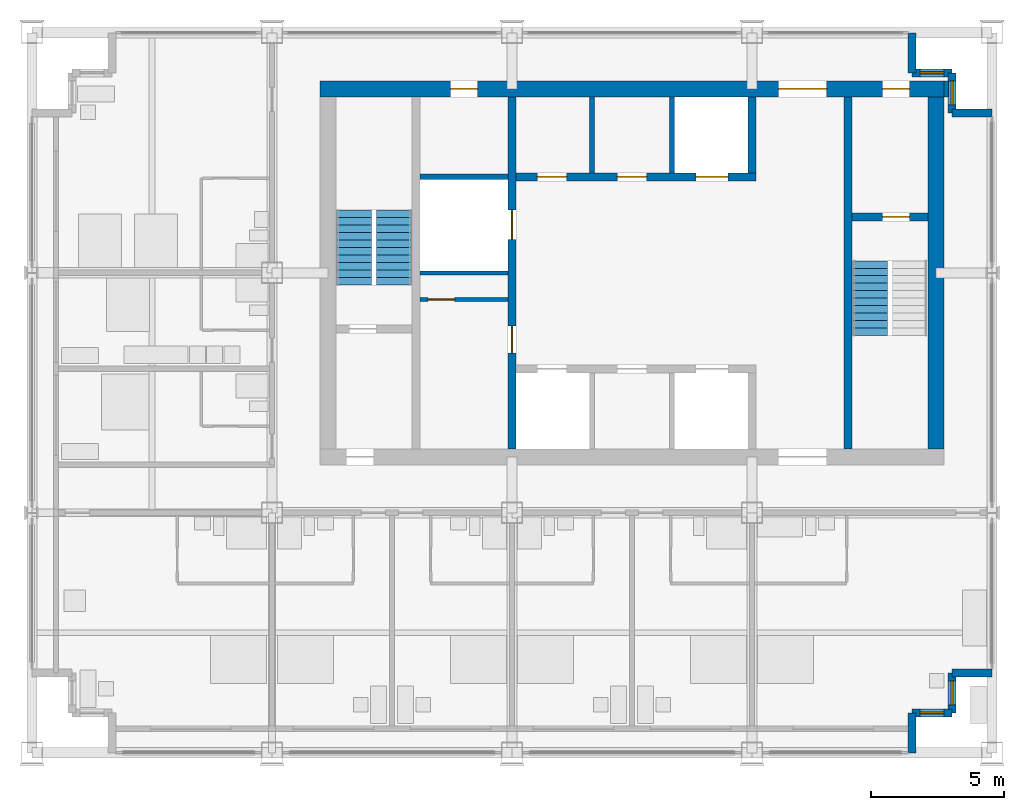
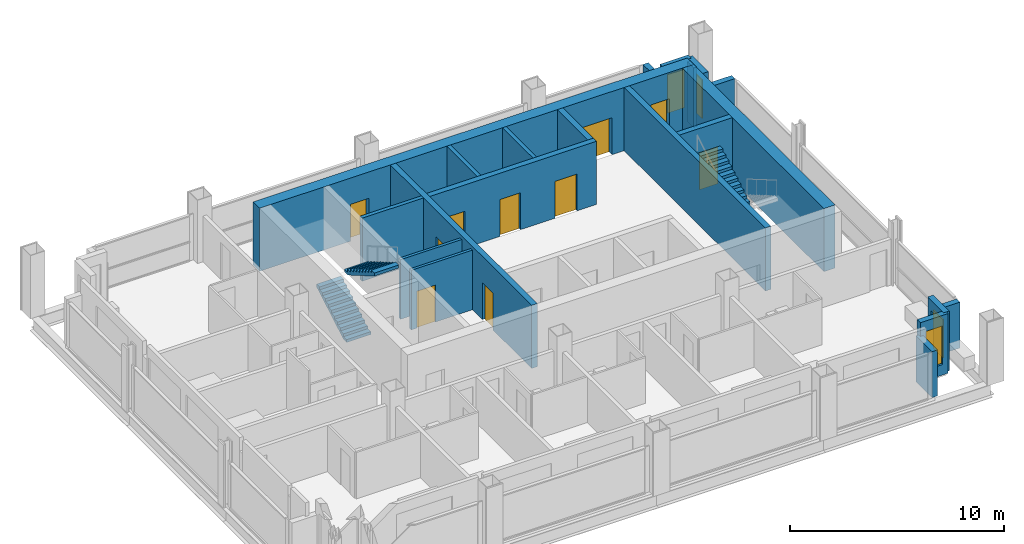
# One storey, part 8 of 12: 21 walls, 10 doors, 4 windows, 3 stair flights, 14 openings, 2 elements without a shape of their own.
"""IFC4 building model written with IfcOpenShell, lengths in metres."""

from ifc_helpers import new_model, si_unit, direction, frame, frame_2d, origin, place, context, subcontext, project, spatial, polyline, rectangle, outline, extrude, material, layer, layer_set, type_object, element, fill, aggregate, save


model = new_model("IFC4")

# Units and contexts
model_context = context("Model", 3, precision=1e-05, world=origin(), true_north=direction((0.0, 1.0)))
body_context = subcontext(model_context, "Body", "Model", "MODEL_VIEW")
ifc_project = project(units=[si_unit("LENGTHUNIT", "METRE"), si_unit("AREAUNIT", "SQUARE_METRE"), si_unit("VOLUMEUNIT", "CUBIC_METRE"), si_unit("PLANEANGLEUNIT", "RADIAN"), si_unit("MASSUNIT", "GRAM", prefix="KILO")], contexts=[model_context])

# Site, building, storey
site_placement = place(None, origin())
site = spatial("IfcSite", under=ifc_project, at=site_placement, CompositionType="ELEMENT")
building_placement = place(site_placement, origin())
building = spatial("IfcBuilding", under=site, at=building_placement, Name="Loomwork Tower", CompositionType="ELEMENT")
storey_placement = place(building_placement, frame((0.0, 0.0, 255.39990234375)))
storey = spatial("IfcBuildingStorey", under=building, at=storey_placement, Name="L70", CompositionType="ELEMENT", Elevation=255.39990234375)

# Wall, openings, doors
ifc_material_1 = material(Name="Concrete 14000 psi (97 MPa)", Category="concrete")
ifc_layer_1 = layer(ifc_material_1, 0.300048828125)
ifc_layer_set_1 = layer_set([ifc_layer_1], Name="Core shear wall 300")
wall_type_1 = type_object("IfcWallType", Name="Core shear wall 300", PredefinedType="SHEAR", material=ifc_layer_set_1)
wall_1_placement = place(storey_placement, frame((18.0, 11.39990234375, 0.0), z_axis=(0.0, 0.0, 1.0), x_axis=(0.0, 1.0, 0.0)))
wall_1 = element("IfcWall", 1, at=wall_1_placement, inside=storey, type_object=wall_type_1, Name="Lobby west wall L70", PredefinedType="SHEAR", context=body_context, shape_type="SweptSolid", body=[
    extrude(rectangle(XDim=13.2001953125, YDim=0.300048828125, at=frame_2d((6.60009765625, 0.0))), origin(), (0.0, 0.0, 1.0), 3.60009765625),
])
opening_1_placement = place(wall_1_placement, frame((3.60009765625, 0.0, 0.0)))
opening_1 = element("IfcOpeningElement", 2, at=opening_1_placement, cuts=wall_1, Name="Opening D5", PredefinedType="OPENING", context=body_context, shape_type="SweptSolid", body=[
    extrude(rectangle(XDim=1.0, YDim=2.10009765625, at=frame_2d((0.5, 1.050048828125))), frame((0.0, 0.159912109375, 0.0), z_axis=(0.0, -1.0, 0.0), x_axis=(1.0, 0.0, 0.0)), (0.0, 0.0, 1.0), 0.320068359375),
])
opening_2_placement = place(wall_1_placement, frame((7.85009765625, 0.0, 0.0)))
opening_2 = element("IfcOpeningElement", 3, at=opening_2_placement, cuts=wall_1, Name="Opening LD1", PredefinedType="OPENING", context=body_context, shape_type="SweptSolid", body=[
    extrude(rectangle(XDim=1.10009765625, YDim=2.10009765625, at=frame_2d((0.550048828125, 1.050048828125))), frame((0.0, 0.159912109375, 0.0), z_axis=(0.0, -1.0, 0.0), x_axis=(1.0, 0.0, 0.0)), (0.0, 0.0, 1.0), 0.320068359375),
])
ifc_material_2 = material(Name="Hollow metal door and frame")
door_type_1 = type_object("IfcDoorType", Name="Lift landing door 1100", OperationType="SLIDING_TO_LEFT", PredefinedType="DOOR", material=ifc_material_2)
door_1_placement = place(opening_2_placement, origin())
door_1 = element("IfcDoor", 4, at=door_1_placement, inside=storey, type_object=door_type_1, Name="Lift landing door LC2", OperationType="SLIDING_TO_LEFT", OverallHeight=2.10009765625, OverallWidth=1.10009765625, PredefinedType="DOOR", context=body_context, shape_type="SweptSolid", body=[
    extrude(rectangle(XDim=1.10009765625, YDim=2.10009765625, at=frame_2d((0.550048828125, 1.050048828125))), frame((0.0, 0.02490234375, 0.0), z_axis=(0.0, -1.0, 0.0), x_axis=(1.0, 0.0, 0.0)), (0.0, 0.0, 1.0), 0.050048828125),
])
fill(opening_2, door_1)
ifc_material_3 = material(Name="Hollow metal door and frame")
door_type_2 = type_object("IfcDoorType", Name="Service door 1000", OperationType="SINGLE_SWING_LEFT", PredefinedType="DOOR", material=ifc_material_3)
door_2_placement = place(opening_1_placement, origin())
door_2 = element("IfcDoor", 5, at=door_2_placement, inside=storey, type_object=door_type_2, Name="Back-of-house door south", OperationType="SINGLE_SWING_LEFT", OverallHeight=2.10009765625, OverallWidth=1.0, PredefinedType="DOOR", context=body_context, shape_type="SweptSolid", body=[
    extrude(rectangle(XDim=1.0, YDim=2.10009765625, at=frame_2d((0.5, 1.050048828125))), frame((0.0, 0.02490234375, 0.0), z_axis=(0.0, -1.0, 0.0), x_axis=(1.0, 0.0, 0.0)), (0.0, 0.0, 1.0), 0.050048828125),
])
fill(opening_1, door_2)

wall_2_placement = place(storey_placement, frame((18.14990234375, 21.60009765625, 0.0), z_axis=(0.0, 0.0, 1.0), x_axis=(1.0, 0.0, 0.0)))
wall_2 = element("IfcWall", 6, at=wall_2_placement, inside=storey, type_object=wall_type_1, Name="Lift front wall north L70", PredefinedType="SHEAR", context=body_context, shape_type="SweptSolid", body=[
    extrude(rectangle(XDim=9.0, YDim=0.300048828125, at=frame_2d((4.5, 0.0))), origin(), (0.0, 0.0, 1.0), 3.60009765625),
])
opening_3_placement = place(wall_2_placement, frame((6.75, 0.0, 0.0)))
opening_3 = element("IfcOpeningElement", 7, at=opening_3_placement, cuts=wall_2, Name="Opening LD2", PredefinedType="OPENING", context=body_context, shape_type="SweptSolid", body=[
    extrude(rectangle(XDim=1.199951171875, YDim=2.10009765625, at=frame_2d((0.60009765625, 1.050048828125))), frame((0.0, 0.159912109375, 0.0), z_axis=(0.0, -1.0, 0.0), x_axis=(1.0, 0.0, 0.0)), (0.0, 0.0, 1.0), 0.320068359375),
])
opening_4_placement = place(wall_2_placement, frame((0.800048828125, 0.0, 0.0)))
opening_4 = element("IfcOpeningElement", 8, at=opening_4_placement, cuts=wall_2, Name="Opening D17", PredefinedType="OPENING", context=body_context, shape_type="SweptSolid", body=[
    extrude(rectangle(XDim=1.10009765625, YDim=2.10009765625, at=frame_2d((0.550048828125, 1.050048828125))), frame((0.0, 0.159912109375, 0.0), z_axis=(0.0, -1.0, 0.0), x_axis=(1.0, 0.0, 0.0)), (0.0, 0.0, 1.0), 0.320068359375),
])
opening_5_placement = place(wall_2_placement, frame((3.800048828125, 0.0, 0.0)))
opening_5 = element("IfcOpeningElement", 9, at=opening_5_placement, cuts=wall_2, Name="Opening D17", PredefinedType="OPENING", context=body_context, shape_type="SweptSolid", body=[
    extrude(rectangle(XDim=1.10009765625, YDim=2.10009765625, at=frame_2d((0.550048828125, 1.050048828125))), frame((0.0, 0.159912109375, 0.0), z_axis=(0.0, -1.0, 0.0), x_axis=(1.0, 0.0, 0.0)), (0.0, 0.0, 1.0), 0.320068359375),
])
ifc_material_4 = material(Name="Hollow metal door and frame")
door_type_3 = type_object("IfcDoorType", Name="Lift landing door 1200", OperationType="SLIDING_TO_LEFT", PredefinedType="DOOR", material=ifc_material_4)
door_3_placement = place(opening_3_placement, origin())
door_3 = element("IfcDoor", 10, at=door_3_placement, inside=storey, type_object=door_type_3, Name="Lift landing door LF2", OperationType="SLIDING_TO_LEFT", OverallHeight=2.10009765625, OverallWidth=1.199951171875, PredefinedType="DOOR", context=body_context, shape_type="SweptSolid", body=[
    extrude(rectangle(XDim=1.199951171875, YDim=2.10009765625, at=frame_2d((0.60009765625, 1.050048828125))), frame((0.0, 0.02490234375, 0.0), z_axis=(0.0, -1.0, 0.0), x_axis=(1.0, 0.0, 0.0)), (0.0, 0.0, 1.0), 0.050048828125),
])
fill(opening_3, door_3)
ifc_material_5 = material(Name="Hollow metal door and frame")
door_type_4 = type_object("IfcDoorType", Name="Service room door 1100", OperationType="SINGLE_SWING_LEFT", PredefinedType="DOOR", material=ifc_material_5)
door_4_placement = place(opening_4_placement, origin())
door_4 = element("IfcDoor", 11, at=door_4_placement, inside=storey, type_object=door_type_4, Name="Linen and housekeeping store door L70", OperationType="SINGLE_SWING_LEFT", OverallHeight=2.10009765625, OverallWidth=1.10009765625, PredefinedType="DOOR", context=body_context, shape_type="SweptSolid", body=[
    extrude(rectangle(XDim=1.10009765625, YDim=2.10009765625, at=frame_2d((0.550048828125, 1.050048828125))), frame((0.0, 0.02490234375, 0.0), z_axis=(0.0, -1.0, 0.0), x_axis=(1.0, 0.0, 0.0)), (0.0, 0.0, 1.0), 0.050048828125),
])
fill(opening_4, door_4)
door_5_placement = place(opening_5_placement, origin())
door_5 = element("IfcDoor", 12, at=door_5_placement, inside=storey, type_object=door_type_4, Name="IT and communications room door L70", OperationType="SINGLE_SWING_LEFT", OverallHeight=2.10009765625, OverallWidth=1.10009765625, PredefinedType="DOOR", context=body_context, shape_type="SweptSolid", body=[
    extrude(rectangle(XDim=1.10009765625, YDim=2.10009765625, at=frame_2d((0.550048828125, 1.050048828125))), frame((0.0, 0.02490234375, 0.0), z_axis=(0.0, -1.0, 0.0), x_axis=(1.0, 0.0, 0.0)), (0.0, 0.0, 1.0), 0.050048828125),
])
fill(opening_5, door_5)

# Walls
wall_3_placement = place(storey_placement, frame((27.0, 21.75, 0.0), z_axis=(0.0, 0.0, 1.0), x_axis=(0.0, 1.0, 0.0)))
element("IfcWall", 13, at=wall_3_placement, inside=storey, type_object=wall_type_1, Name="Lift shaft end wall north L70", PredefinedType="SHEAR", context=body_context, shape_type="SweptSolid", body=[
    extrude(rectangle(XDim=2.85009765625, YDim=0.300048828125, at=frame_2d((1.425048828125, 0.0))), origin(), (0.0, 0.0, 1.0), 3.60009765625),
])
wall_4_placement = place(storey_placement, frame((30.60009765625, 11.39990234375, 0.0), z_axis=(0.0, 0.0, 1.0), x_axis=(0.0, 1.0, 0.0)))
element("IfcWall", 14, at=wall_4_placement, inside=storey, type_object=wall_type_1, Name="Stair B west wall L70", PredefinedType="SHEAR", context=body_context, shape_type="SweptSolid", body=[
    extrude(rectangle(XDim=13.2001953125, YDim=0.300048828125, at=frame_2d((6.60009765625, 0.0))), origin(), (0.0, 0.0, 1.0), 3.60009765625),
])

# Wall, opening, door
wall_5_placement = place(storey_placement, frame((30.75, 20.10009765625, 0.0), z_axis=(0.0, 0.0, 1.0), x_axis=(1.0, 0.0, 0.0)))
wall_5 = element("IfcWall", 15, at=wall_5_placement, inside=storey, type_object=wall_type_1, Name="Stair B north wall L70", PredefinedType="SHEAR", context=body_context, shape_type="SweptSolid", body=[
    extrude(rectangle(XDim=2.85009765625, YDim=0.300048828125, at=frame_2d((1.425048828125, 0.0))), origin(), (0.0, 0.0, 1.0), 3.60009765625),
])
opening_6_placement = place(wall_5_placement, frame((1.14990234375, 0.0, 0.0)))
opening_6 = element("IfcOpeningElement", 16, at=opening_6_placement, cuts=wall_5, Name="Opening D4", PredefinedType="OPENING", context=body_context, shape_type="SweptSolid", body=[
    extrude(rectangle(XDim=1.0, YDim=2.10009765625, at=frame_2d((0.5, 1.050048828125))), frame((0.0, 0.159912109375, 0.0), z_axis=(0.0, -1.0, 0.0), x_axis=(1.0, 0.0, 0.0)), (0.0, 0.0, 1.0), 0.320068359375),
])
ifc_material_6 = material(Name="Hollow metal door and frame")
door_type_5 = type_object("IfcDoorType", Name="Stair door 1000", OperationType="SINGLE_SWING_RIGHT", PredefinedType="DOOR", material=ifc_material_6)
door_6_placement = place(opening_6_placement, frame((1.0, 0.0, 0.0), z_axis=(0.0, 0.0, 1.0), x_axis=(-1.0, 0.0, 0.0)))
door_6 = element("IfcDoor", 17, at=door_6_placement, inside=storey, type_object=door_type_5, Name="Stair B door", OperationType="SINGLE_SWING_LEFT", OverallHeight=2.10009765625, OverallWidth=1.0, PredefinedType="DOOR", context=body_context, shape_type="SweptSolid", body=[
    extrude(rectangle(XDim=1.0, YDim=2.10009765625, at=frame_2d((0.5, 1.050048828125))), frame((0.0, 0.02490234375, 0.0), z_axis=(0.0, -1.0, 0.0), x_axis=(1.0, 0.0, 0.0)), (0.0, 0.0, 1.0), 0.050048828125),
])
fill(opening_6, door_6)

# Wall, openings, doors
ifc_material_7 = material(Name="Concrete 14000 psi (97 MPa)", Category="concrete")
ifc_layer_2 = layer(ifc_material_7, 0.60009765625)
ifc_layer_set_2 = layer_set([ifc_layer_2], Name="Core shear wall 600")
wall_type_2 = type_object("IfcWallType", Name="Core shear wall 600", PredefinedType="SHEAR", material=ifc_layer_set_2)
wall_6_placement = place(storey_placement, frame((10.800048828125, 24.89990234375, 0.0), z_axis=(0.0, 0.0, 1.0), x_axis=(1.0, 0.0, 0.0)))
wall_6 = element("IfcWall", 18, at=wall_6_placement, inside=storey, type_object=wall_type_2, Name="Core wall north L70", PredefinedType="SHEAR", context=body_context, shape_type="SweptSolid", body=[
    extrude(rectangle(XDim=23.39990234375, YDim=0.60009765625, at=frame_2d((11.699951171875, 0.0))), origin(), (0.0, 0.0, 1.0), 3.60009765625),
])
opening_7_placement = place(wall_6_placement, frame((17.199951171875, 0.0, 0.0)))
opening_7 = element("IfcOpeningElement", 19, at=opening_7_placement, cuts=wall_6, Name="Opening D6", PredefinedType="OPENING", context=body_context, shape_type="SweptSolid", body=[
    extrude(rectangle(XDim=1.800048828125, YDim=2.10009765625, at=frame_2d((0.89990234375, 1.050048828125))), frame((0.0, 0.31005859375, 0.0), z_axis=(0.0, -1.0, 0.0), x_axis=(1.0, 0.0, 0.0)), (0.0, 0.0, 1.0), 0.6201171875),
])
opening_8_placement = place(wall_6_placement, frame((21.10009765625, 0.0, 0.0)))
opening_8 = element("IfcOpeningElement", 20, at=opening_8_placement, cuts=wall_6, Name="Opening D4", PredefinedType="OPENING", context=body_context, shape_type="SweptSolid", body=[
    extrude(rectangle(XDim=1.0, YDim=2.10009765625, at=frame_2d((0.5, 1.050048828125))), frame((0.0, 0.31005859375, 0.0), z_axis=(0.0, -1.0, 0.0), x_axis=(1.0, 0.0, 0.0)), (0.0, 0.0, 1.0), 0.6201171875),
])
opening_9_placement = place(wall_6_placement, frame((4.89990234375, 0.0, 0.0)))
opening_9 = element("IfcOpeningElement", 21, at=opening_9_placement, cuts=wall_6, Name="Opening D5", PredefinedType="OPENING", context=body_context, shape_type="SweptSolid", body=[
    extrude(rectangle(XDim=1.0, YDim=2.10009765625, at=frame_2d((0.5, 1.050048828125))), frame((0.0, 0.31005859375, 0.0), z_axis=(0.0, -1.0, 0.0), x_axis=(1.0, 0.0, 0.0)), (0.0, 0.0, 1.0), 0.6201171875),
])
ifc_material_8 = material(Name="Hollow metal door and frame")
door_type_6 = type_object("IfcDoorType", Name="Lobby passage double door 1800", OperationType="DOUBLE_DOOR_SINGLE_SWING", PredefinedType="DOOR", material=ifc_material_8)
door_7_placement = place(opening_7_placement, frame((1.800048828125, 0.0, 0.0), z_axis=(0.0, 0.0, 1.0), x_axis=(-1.0, 0.0, 0.0)))
door_7 = element("IfcDoor", 22, at=door_7_placement, inside=storey, type_object=door_type_6, Name="Lobby passage door north", OperationType="DOUBLE_DOOR_SINGLE_SWING", OverallHeight=2.10009765625, OverallWidth=1.800048828125, PredefinedType="DOOR", context=body_context, shape_type="SweptSolid", body=[
    extrude(rectangle(XDim=1.800048828125, YDim=2.10009765625, at=frame_2d((0.89990234375, 1.050048828125))), frame((0.0, 0.02490234375, 0.0), z_axis=(0.0, -1.0, 0.0), x_axis=(1.0, 0.0, 0.0)), (0.0, 0.0, 1.0), 0.050048828125),
])
fill(opening_7, door_7)
door_8_placement = place(opening_9_placement, frame((1.0, 0.0, 0.0), z_axis=(0.0, 0.0, 1.0), x_axis=(-1.0, 0.0, 0.0)))
door_8 = element("IfcDoor", 23, at=door_8_placement, inside=storey, type_object=door_type_2, Name="Back-of-house door north", OperationType="SINGLE_SWING_LEFT", OverallHeight=2.10009765625, OverallWidth=1.0, PredefinedType="DOOR", context=body_context, shape_type="SweptSolid", body=[
    extrude(rectangle(XDim=1.0, YDim=2.10009765625, at=frame_2d((0.5, 1.050048828125))), frame((0.0, 0.02490234375, 0.0), z_axis=(0.0, -1.0, 0.0), x_axis=(1.0, 0.0, 0.0)), (0.0, 0.0, 1.0), 0.050048828125),
])
fill(opening_9, door_8)
door_9_placement = place(opening_8_placement, frame((1.0, 0.0, 0.0), z_axis=(0.0, 0.0, 1.0), x_axis=(-1.0, 0.0, 0.0)))
door_9 = element("IfcDoor", 24, at=door_9_placement, inside=storey, type_object=door_type_5, Name="Stair B vestibule door", OperationType="SINGLE_SWING_LEFT", OverallHeight=2.10009765625, OverallWidth=1.0, PredefinedType="DOOR", context=body_context, shape_type="SweptSolid", body=[
    extrude(rectangle(XDim=1.0, YDim=2.10009765625, at=frame_2d((0.5, 1.050048828125))), frame((0.0, 0.02490234375, 0.0), z_axis=(0.0, -1.0, 0.0), x_axis=(1.0, 0.0, 0.0)), (0.0, 0.0, 1.0), 0.050048828125),
])
fill(opening_8, door_9)

# Walls
wall_7_placement = place(storey_placement, frame((33.89990234375, 11.39990234375, 0.0), z_axis=(0.0, 0.0, 1.0), x_axis=(0.0, 1.0, 0.0)))
element("IfcWall", 25, at=wall_7_placement, inside=storey, type_object=wall_type_2, Name="Core wall east L70", PredefinedType="SHEAR", context=body_context, shape_type="SweptSolid", body=[
    extrude(rectangle(XDim=13.2001953125, YDim=0.60009765625, at=frame_2d((6.60009765625, 0.0))), origin(), (0.0, 0.0, 1.0), 3.60009765625),
])
ifc_material_9 = material(Name="Concrete 14000 psi (97 MPa)", Category="concrete")
ifc_layer_3 = layer(ifc_material_9, 0.199951171875)
ifc_layer_set_3 = layer_set([ifc_layer_3], Name="Lift shaft wall 200")
wall_type_3 = type_object("IfcWallType", Name="Lift shaft wall 200", PredefinedType="SHEAR", material=ifc_layer_set_3)
for number, where, z_axis, x_axis, name in (
    (26, (21.0, 21.75, 0.0), (0.0, 0.0, 1.0), (0.0, 1.0, 0.0), "Lift shaft separation wall north 1 L70"),
    (27, (24.0, 21.75, 0.0), (0.0, 0.0, 1.0), (0.0, 1.0, 0.0), "Lift shaft separation wall north 2 L70"),
):
    element("IfcWall", number, at=place(storey_placement, frame(where, z_axis=z_axis, x_axis=x_axis)), inside=storey, type_object=wall_type_3, Name=name, PredefinedType="SHEAR", context=body_context, shape_type="SweptSolid", body=[
        extrude(rectangle(XDim=2.85009765625, YDim=0.199951171875, at=frame_2d((1.425048828125, 0.0))), origin(), (0.0, 0.0, 1.0), 3.60009765625),
    ])
wall_8_placement = place(storey_placement, frame((14.550048828125, 21.60009765625, 0.0), z_axis=(0.0, 0.0, 1.0), x_axis=(1.0, 0.0, 0.0)))
element("IfcWall", 28, at=wall_8_placement, inside=storey, type_object=wall_type_3, Name="Lift shaft wall west north L70", PredefinedType="SHEAR", context=body_context, shape_type="SweptSolid", body=[
    extrude(rectangle(XDim=3.300048828125, YDim=0.199951171875, at=frame_2d((1.64990234375, 0.0))), origin(), (0.0, 0.0, 1.0), 3.60009765625),
])
ifc_material_10 = material(Name="Limestone on concrete masonry", Category="masonry")
ifc_layer_4 = layer(ifc_material_10, 0.300048828125)
ifc_layer_set_4 = layer_set([ifc_layer_4], Name="Limestone corner wall 300")
wall_type_4 = type_object("IfcWallType", Name="Limestone corner wall 300", PredefinedType="SOLIDWALL", material=ifc_layer_set_4)
wall_9_placement = place(storey_placement, frame((33.0, 0.0, 0.0), z_axis=(0.0, 0.0, 1.0), x_axis=(0.0, 1.0, 0.0)))
element("IfcWall", 29, at=wall_9_placement, inside=storey, type_object=wall_type_4, Name="Stone corner wall SE 1", PredefinedType="SOLIDWALL", context=body_context, shape_type="SweptSolid", body=[
    extrude(rectangle(XDim=1.5, YDim=0.300048828125, at=frame_2d((0.75, 0.0))), origin(), (0.0, 0.0, 1.0), 2.6201171875),
])

# Wall, opening, window
wall_10_placement = place(storey_placement, frame((33.0, 1.5, 0.0), z_axis=(0.0, 0.0, 1.0), x_axis=(1.0, 0.0, 0.0)))
wall_10 = element("IfcWall", 30, at=wall_10_placement, inside=storey, type_object=wall_type_4, Name="Stone corner wall SE 2", PredefinedType="SOLIDWALL", context=body_context, shape_type="SweptSolid", body=[
    extrude(rectangle(XDim=1.5, YDim=0.300048828125, at=frame_2d((0.75, 0.0))), origin(), (0.0, 0.0, 1.0), 3.400146484375),
])
opening_10_placement = place(wall_10_placement, frame((0.300048828125, 0.0, 0.60009765625)))
opening_10 = element("IfcOpeningElement", 31, at=opening_10_placement, cuts=wall_10, Name="Opening CH2", PredefinedType="OPENING", context=body_context, shape_type="SweptSolid", body=[
    extrude(rectangle(XDim=0.89990234375, YDim=2.199951171875, at=frame_2d((0.449951171875, 1.10009765625))), frame((0.0, 0.159912109375, 0.0), z_axis=(0.0, -1.0, 0.0), x_axis=(1.0, 0.0, 0.0)), (0.0, 0.0, 1.0), 0.320068359375),
])
ifc_material_11 = material(Name="Aluminium frame with clear insulated glass", Category="aluminium")
window_type = type_object("IfcWindowType", Name="Corner window 900", PartitioningType="SINGLE_PANEL", PredefinedType="WINDOW", material=ifc_material_11)
window_1_placement = place(opening_10_placement, origin())
window_1 = element("IfcWindow", 32, at=window_1_placement, inside=storey, type_object=window_type, Name="Corner window SE", OverallHeight=2.199951171875, OverallWidth=0.89990234375, PartitioningType="SINGLE_PANEL", PredefinedType="WINDOW", context=body_context, shape_type="SweptSolid", body=[
    extrude(rectangle(XDim=0.89990234375, YDim=2.199951171875, at=frame_2d((0.449951171875, 1.10009765625))), frame((0.0, 0.030029296875, 0.0), z_axis=(0.0, -1.0, 0.0), x_axis=(1.0, 0.0, 0.0)), (0.0, 0.0, 1.0), 0.06005859375),
])
fill(opening_10, window_1)

wall_11_placement = place(storey_placement, frame((34.5, 1.5, 0.0), z_axis=(0.0, 0.0, 1.0), x_axis=(0.0, 1.0, 0.0)))
wall_11 = element("IfcWall", 33, at=wall_11_placement, inside=storey, type_object=wall_type_4, Name="Stone corner wall SE 3", PredefinedType="SOLIDWALL", context=body_context, shape_type="SweptSolid", body=[
    extrude(rectangle(XDim=1.5, YDim=0.300048828125, at=frame_2d((0.75, 0.0))), origin(), (0.0, 0.0, 1.0), 3.400146484375),
])
opening_11_placement = place(wall_11_placement, frame((0.300048828125, 0.0, 0.60009765625)))
opening_11 = element("IfcOpeningElement", 34, at=opening_11_placement, cuts=wall_11, Name="Opening CH2", PredefinedType="OPENING", context=body_context, shape_type="SweptSolid", body=[
    extrude(rectangle(XDim=0.89990234375, YDim=2.199951171875, at=frame_2d((0.449951171875, 1.10009765625))), frame((0.0, 0.159912109375, 0.0), z_axis=(0.0, -1.0, 0.0), x_axis=(1.0, 0.0, 0.0)), (0.0, 0.0, 1.0), 0.320068359375),
])
window_2_placement = place(opening_11_placement, origin())
window_2 = element("IfcWindow", 35, at=window_2_placement, inside=storey, type_object=window_type, Name="Corner window SE", OverallHeight=2.199951171875, OverallWidth=0.89990234375, PartitioningType="SINGLE_PANEL", PredefinedType="WINDOW", context=body_context, shape_type="SweptSolid", body=[
    extrude(rectangle(XDim=0.89990234375, YDim=2.199951171875, at=frame_2d((0.449951171875, 1.10009765625))), frame((0.0, 0.030029296875, 0.0), z_axis=(0.0, -1.0, 0.0), x_axis=(1.0, 0.0, 0.0)), (0.0, 0.0, 1.0), 0.06005859375),
])
fill(opening_11, window_2)

# Walls
for number, where, z_axis, x_axis, name in (
    (36, (34.5, 3.0, 0.0), (0.0, 0.0, 1.0), (1.0, 0.0, 0.0), "Stone corner wall SE 4"),
    (37, (36.0, 24.0, 0.0), (0.0, 0.0, 1.0), (-1.0, 0.0, 0.0), "Stone corner wall NE 1"),
):
    element("IfcWall", number, at=place(storey_placement, frame(where, z_axis=z_axis, x_axis=x_axis)), inside=storey, type_object=wall_type_4, Name=name, PredefinedType="SOLIDWALL", context=body_context, shape_type="SweptSolid", body=[
        extrude(rectangle(XDim=1.5, YDim=0.300048828125, at=frame_2d((0.75, 0.0))), origin(), (0.0, 0.0, 1.0), 2.6201171875),
    ])

# Wall, opening, window
wall_12_placement = place(storey_placement, frame((34.5, 24.0, 0.0), z_axis=(0.0, 0.0, 1.0), x_axis=(0.0, 1.0, 0.0)))
wall_12 = element("IfcWall", 38, at=wall_12_placement, inside=storey, type_object=wall_type_4, Name="Stone corner wall NE 2", PredefinedType="SOLIDWALL", context=body_context, shape_type="SweptSolid", body=[
    extrude(rectangle(XDim=1.5, YDim=0.300048828125, at=frame_2d((0.75, 0.0))), origin(), (0.0, 0.0, 1.0), 3.400146484375),
])
opening_12_placement = place(wall_12_placement, frame((0.300048828125, 0.0, 0.60009765625)))
opening_12 = element("IfcOpeningElement", 39, at=opening_12_placement, cuts=wall_12, Name="Opening CH2", PredefinedType="OPENING", context=body_context, shape_type="SweptSolid", body=[
    extrude(rectangle(XDim=0.89990234375, YDim=2.199951171875, at=frame_2d((0.449951171875, 1.10009765625))), frame((0.0, 0.159912109375, 0.0), z_axis=(0.0, -1.0, 0.0), x_axis=(1.0, 0.0, 0.0)), (0.0, 0.0, 1.0), 0.320068359375),
])
window_3_placement = place(opening_12_placement, origin())
window_3 = element("IfcWindow", 40, at=window_3_placement, inside=storey, type_object=window_type, Name="Corner window NE", OverallHeight=2.199951171875, OverallWidth=0.89990234375, PartitioningType="SINGLE_PANEL", PredefinedType="WINDOW", context=body_context, shape_type="SweptSolid", body=[
    extrude(rectangle(XDim=0.89990234375, YDim=2.199951171875, at=frame_2d((0.449951171875, 1.10009765625))), frame((0.0, 0.030029296875, 0.0), z_axis=(0.0, -1.0, 0.0), x_axis=(1.0, 0.0, 0.0)), (0.0, 0.0, 1.0), 0.06005859375),
])
fill(opening_12, window_3)

wall_13_placement = place(storey_placement, frame((34.5, 25.5, 0.0), z_axis=(0.0, 0.0, 1.0), x_axis=(-1.0, 0.0, 0.0)))
wall_13 = element("IfcWall", 41, at=wall_13_placement, inside=storey, type_object=wall_type_4, Name="Stone corner wall NE 3", PredefinedType="SOLIDWALL", context=body_context, shape_type="SweptSolid", body=[
    extrude(rectangle(XDim=1.5, YDim=0.300048828125, at=frame_2d((0.75, 0.0))), origin(), (0.0, 0.0, 1.0), 3.400146484375),
])
opening_13_placement = place(wall_13_placement, frame((0.300048828125, 0.0, 0.60009765625)))
opening_13 = element("IfcOpeningElement", 42, at=opening_13_placement, cuts=wall_13, Name="Opening CH2", PredefinedType="OPENING", context=body_context, shape_type="SweptSolid", body=[
    extrude(rectangle(XDim=0.89990234375, YDim=2.199951171875, at=frame_2d((0.449951171875, 1.10009765625))), frame((0.0, 0.159912109375, 0.0), z_axis=(0.0, -1.0, 0.0), x_axis=(1.0, 0.0, 0.0)), (0.0, 0.0, 1.0), 0.320068359375),
])
window_4_placement = place(opening_13_placement, origin())
window_4 = element("IfcWindow", 43, at=window_4_placement, inside=storey, type_object=window_type, Name="Corner window NE", OverallHeight=2.199951171875, OverallWidth=0.89990234375, PartitioningType="SINGLE_PANEL", PredefinedType="WINDOW", context=body_context, shape_type="SweptSolid", body=[
    extrude(rectangle(XDim=0.89990234375, YDim=2.199951171875, at=frame_2d((0.449951171875, 1.10009765625))), frame((0.0, 0.030029296875, 0.0), z_axis=(0.0, -1.0, 0.0), x_axis=(1.0, 0.0, 0.0)), (0.0, 0.0, 1.0), 0.06005859375),
])
fill(opening_13, window_4)

# Walls
wall_14_placement = place(storey_placement, frame((33.0, 25.5, 0.0), z_axis=(0.0, 0.0, 1.0), x_axis=(0.0, 1.0, 0.0)))
element("IfcWall", 44, at=wall_14_placement, inside=storey, type_object=wall_type_4, Name="Stone corner wall NE 4", PredefinedType="SOLIDWALL", context=body_context, shape_type="SweptSolid", body=[
    extrude(rectangle(XDim=1.5, YDim=0.300048828125, at=frame_2d((0.75, 0.0))), origin(), (0.0, 0.0, 1.0), 2.6201171875),
])
ifc_material_12 = material(Name="Gypsum board on steel studs", Category="steel")
ifc_layer_5 = layer(ifc_material_12, 0.14990234375)
ifc_layer_set_5 = layer_set([ifc_layer_5], Name="Partition 150 two-hour")
wall_type_5 = type_object("IfcWallType", Name="Partition 150 two-hour", PredefinedType="PARTITIONING", material=ifc_layer_set_5)
wall_15_placement = place(storey_placement, frame((14.550048828125, 18.0, 0.0), z_axis=(0.0, 0.0, 1.0), x_axis=(1.0, 0.0, 0.0)))
element("IfcWall", 45, at=wall_15_placement, inside=storey, type_object=wall_type_5, Name="Back-of-house dividing wall L70", PredefinedType="PARTITIONING", context=body_context, shape_type="SweptSolid", body=[
    extrude(rectangle(XDim=3.300048828125, YDim=0.14990234375, at=frame_2d((1.64990234375, 0.0))), origin(), (0.0, 0.0, 1.0), 3.400146484375),
])
ifc_material_13 = material(Name="Gypsum board on steel studs, one-hour", Category="steel")
ifc_layer_6 = layer(ifc_material_13, 0.14990234375)
ifc_layer_set_6 = layer_set([ifc_layer_6], Name="Service partition 150")
wall_type_6 = type_object("IfcWallType", Name="Service partition 150", PredefinedType="PARTITIONING", material=ifc_layer_set_6)
wall_16_placement = place(storey_placement, frame((34.199951171875, 24.89990234375, 0.0), z_axis=(0.0, 0.0, 1.0), x_axis=(1.0, 0.0, 0.0)))
element("IfcWall", 46, at=wall_16_placement, inside=storey, type_object=wall_type_6, Name="Core wall infill L70", PredefinedType="PARTITIONING", context=body_context, shape_type="SweptSolid", body=[
    extrude(rectangle(XDim=0.16015625, YDim=0.60009765625, at=frame_2d((0.080078125, 0.0))), origin(), (0.0, 0.0, 1.0), 3.400146484375),
])

# Wall, opening, door
wall_17_placement = place(storey_placement, frame((14.550048828125, 17.0, 0.0), z_axis=(0.0, 0.0, 1.0), x_axis=(1.0, 0.0, 0.0)))
wall_17 = element("IfcWall", 47, at=wall_17_placement, inside=storey, type_object=wall_type_6, Name="Riser enclosure L70", PredefinedType="PARTITIONING", context=body_context, shape_type="SweptSolid", body=[
    extrude(rectangle(XDim=3.300048828125, YDim=0.14990234375, at=frame_2d((1.64990234375, 0.0))), origin(), (0.0, 0.0, 1.0), 3.400146484375),
])
opening_14_placement = place(wall_17_placement, frame((0.300048828125, 0.0, 0.0)))
opening_14 = element("IfcOpeningElement", 48, at=opening_14_placement, cuts=wall_17, Name="Opening D18", PredefinedType="OPENING", context=body_context, shape_type="SweptSolid", body=[
    extrude(rectangle(XDim=1.0, YDim=2.10009765625, at=frame_2d((0.5, 1.050048828125))), frame((0.0, 0.0849609375, 0.0), z_axis=(0.0, -1.0, 0.0), x_axis=(1.0, 0.0, 0.0)), (0.0, 0.0, 1.0), 0.169921875),
])
ifc_material_14 = material(Name="Hollow metal door and frame")
door_type_7 = type_object("IfcDoorType", Name="Ninety-minute service door 1000", OperationType="SINGLE_SWING_LEFT", PredefinedType="DOOR", material=ifc_material_14)
door_10_placement = place(opening_14_placement, frame((1.0, 0.0, 0.0), z_axis=(0.0, 0.0, 1.0), x_axis=(-1.0, 0.0, 0.0)))
door_10 = element("IfcDoor", 49, at=door_10_placement, inside=storey, type_object=door_type_7, Name="Riser access door", OperationType="SINGLE_SWING_RIGHT", OverallHeight=2.10009765625, OverallWidth=1.0, PredefinedType="DOOR", context=body_context, shape_type="SweptSolid", body=[
    extrude(rectangle(XDim=1.0, YDim=2.10009765625, at=frame_2d((0.5, 1.050048828125))), frame((0.0, 0.02490234375, 0.0), z_axis=(0.0, -1.0, 0.0), x_axis=(1.0, 0.0, 0.0)), (0.0, 0.0, 1.0), 0.050048828125),
])
fill(opening_14, door_10)

# Stair, stair flights
ifc_material_15 = material(Name="Concrete 5000 psi (34 MPa) precast stair", Category="concrete")
stair_type_1 = type_object("IfcStairType", Name="Stair ST-A 22 risers 2850 wide", PredefinedType="HALF_TURN_STAIR", material=ifc_material_15)
stair_1_placement = place(storey_placement, origin())
stair_1 = element("IfcStair", 50, at=stair_1_placement, inside=storey, type_object=stair_type_1, Name="Stair A L70", PredefinedType="HALF_TURN_STAIR")
ifc_material_16 = material(Name="Concrete 5000 psi (34 MPa) precast stair", Category="concrete")
stair_flight_type_1 = type_object("IfcStairFlightType", Name="Stair flight ST-A 11 risers 1300 wide", PredefinedType="STRAIGHT", material=ifc_material_16)
stair_flight_1_placement = place(storey_placement, frame((12.074951171875, 17.550048828125, 0.0), z_axis=(0.0, 0.0, 1.0), x_axis=(0.0, 1.0, 0.0)))
stair_flight_1 = element("IfcStairFlight", 51, at=stair_flight_1_placement, type_object=stair_flight_type_1, Name="ST-A flight 1", NumberOfRisers=11, NumberOfTreads=10, PredefinedType="STRAIGHT", RiserHeight=0.163636364, TreadLength=0.28, context=body_context, shape_type="SweptSolid", body=[
    extrude(outline(polyline([(0.0, 0.0), (0.0, 0.16357421875), (0.280029296875, 0.16357421875), (0.280029296875, 0.327392578125), (0.56005859375, 0.327392578125), (0.56005859375, 0.490966796875), (0.840087890625, 0.490966796875), (0.840087890625, 0.654541015625), (1.1201171875, 0.654541015625), (1.1201171875, 0.818115234375), (1.39990234375, 0.818115234375), (1.39990234375, 0.98193359375), (1.679931640625, 0.98193359375), (1.679931640625, 1.1455078125), (1.9599609375, 1.1455078125), (1.9599609375, 1.30908203125), (2.239990234375, 1.30908203125), (2.239990234375, 1.47265625), (2.52001953125, 1.47265625), (2.52001953125, 1.636474609375), (2.800048828125, 1.636474609375), (2.800048828125, 1.800048828125), (2.800048828125, 1.462646484375), (0.297119140625, 0.0), (0.0, 0.0)])), frame((0.0, 0.64990234375, 0.0), z_axis=(0.0, -1.0, 0.0), x_axis=(1.0, 0.0, 0.0)), (0.0, 0.0, 1.0), 1.300048828125),
])
stair_flight_2_placement = place(storey_placement, frame((13.574951171875, 20.35009765625, 1.800048828125), z_axis=(0.0, 0.0, 1.0), x_axis=(0.0, -1.0, 0.0)))
stair_flight_2 = element("IfcStairFlight", 52, at=stair_flight_2_placement, type_object=stair_flight_type_1, Name="ST-A flight 2", NumberOfRisers=11, NumberOfTreads=10, PredefinedType="STRAIGHT", RiserHeight=0.163636364, TreadLength=0.28, context=body_context, shape_type="SweptSolid", body=[
    extrude(outline(polyline([(0.0, 0.0), (0.0, 0.16357421875), (0.280029296875, 0.16357421875), (0.280029296875, 0.327392578125), (0.56005859375, 0.327392578125), (0.56005859375, 0.490966796875), (0.840087890625, 0.490966796875), (0.840087890625, 0.654541015625), (1.1201171875, 0.654541015625), (1.1201171875, 0.818115234375), (1.39990234375, 0.818115234375), (1.39990234375, 0.98193359375), (1.679931640625, 0.98193359375), (1.679931640625, 1.1455078125), (1.9599609375, 1.1455078125), (1.9599609375, 1.30908203125), (2.239990234375, 1.30908203125), (2.239990234375, 1.47265625), (2.52001953125, 1.47265625), (2.52001953125, 1.636474609375), (2.800048828125, 1.636474609375), (2.800048828125, 1.800048828125), (2.800048828125, 1.462646484375), (0.297119140625, 0.0), (0.0, 0.0)])), frame((0.0, 0.64990234375, 0.0), z_axis=(0.0, -1.0, 0.0), x_axis=(1.0, 0.0, 0.0)), (0.0, 0.0, 1.0), 1.300048828125),
])
aggregate(stair_1, [stair_flight_1, stair_flight_2])

# Stair, stair flight
ifc_material_17 = material(Name="Concrete 5000 psi (34 MPa) precast stair", Category="concrete")
stair_type_2 = type_object("IfcStairType", Name="Stair ST-B 22 risers 2850 wide", PredefinedType="HALF_TURN_STAIR", material=ifc_material_17)
stair_2_placement = place(storey_placement, origin())
stair_2 = element("IfcStair", 53, at=stair_2_placement, inside=storey, type_object=stair_type_2, Name="Stair B L70", PredefinedType="HALF_TURN_STAIR")
ifc_material_18 = material(Name="Concrete 5000 psi (34 MPa) precast stair", Category="concrete")
stair_flight_type_2 = type_object("IfcStairFlightType", Name="Stair flight ST-B 11 risers 1300 wide", PredefinedType="STRAIGHT", material=ifc_material_18)
stair_flight_3_placement = place(storey_placement, frame((31.425048828125, 15.64990234375, 1.800048828125), z_axis=(0.0, 0.0, 1.0), x_axis=(0.0, 1.0, 0.0)))
stair_flight_3 = element("IfcStairFlight", 54, at=stair_flight_3_placement, type_object=stair_flight_type_2, Name="ST-B flight 2", NumberOfRisers=11, NumberOfTreads=10, PredefinedType="STRAIGHT", RiserHeight=0.163636364, TreadLength=0.28, context=body_context, shape_type="SweptSolid", body=[
    extrude(outline(polyline([(0.0, 0.0), (0.0, 0.16357421875), (0.280029296875, 0.16357421875), (0.280029296875, 0.327392578125), (0.56005859375, 0.327392578125), (0.56005859375, 0.490966796875), (0.840087890625, 0.490966796875), (0.840087890625, 0.654541015625), (1.1201171875, 0.654541015625), (1.1201171875, 0.818115234375), (1.39990234375, 0.818115234375), (1.39990234375, 0.98193359375), (1.679931640625, 0.98193359375), (1.679931640625, 1.1455078125), (1.9599609375, 1.1455078125), (1.9599609375, 1.30908203125), (2.239990234375, 1.30908203125), (2.239990234375, 1.47265625), (2.52001953125, 1.47265625), (2.52001953125, 1.636474609375), (2.800048828125, 1.636474609375), (2.800048828125, 1.800048828125), (2.800048828125, 1.462646484375), (0.297119140625, 0.0), (0.0, 0.0)])), frame((0.0, 0.64990234375, 0.0), z_axis=(0.0, -1.0, 0.0), x_axis=(1.0, 0.0, 0.0)), (0.0, 0.0, 1.0), 1.300048828125),
])
aggregate(stair_2, [stair_flight_3])

save(model, "model.ifc")
